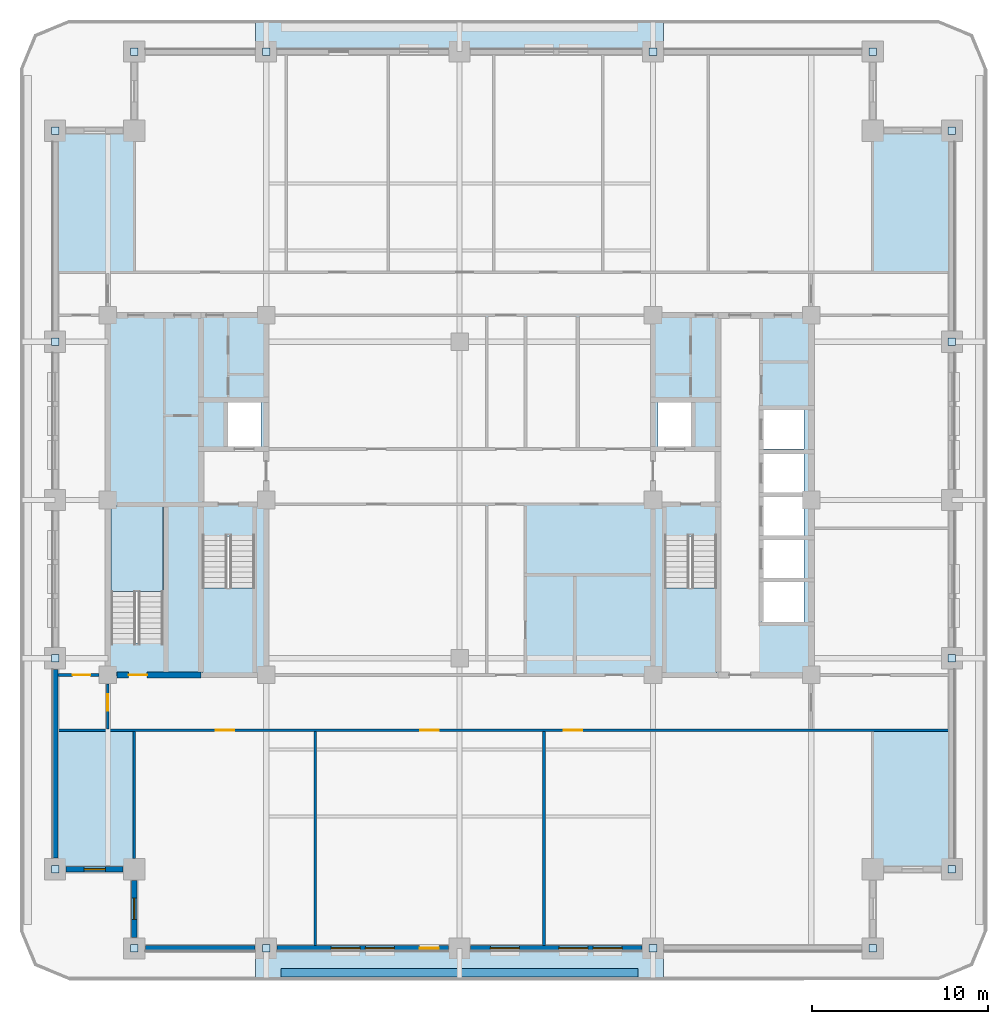
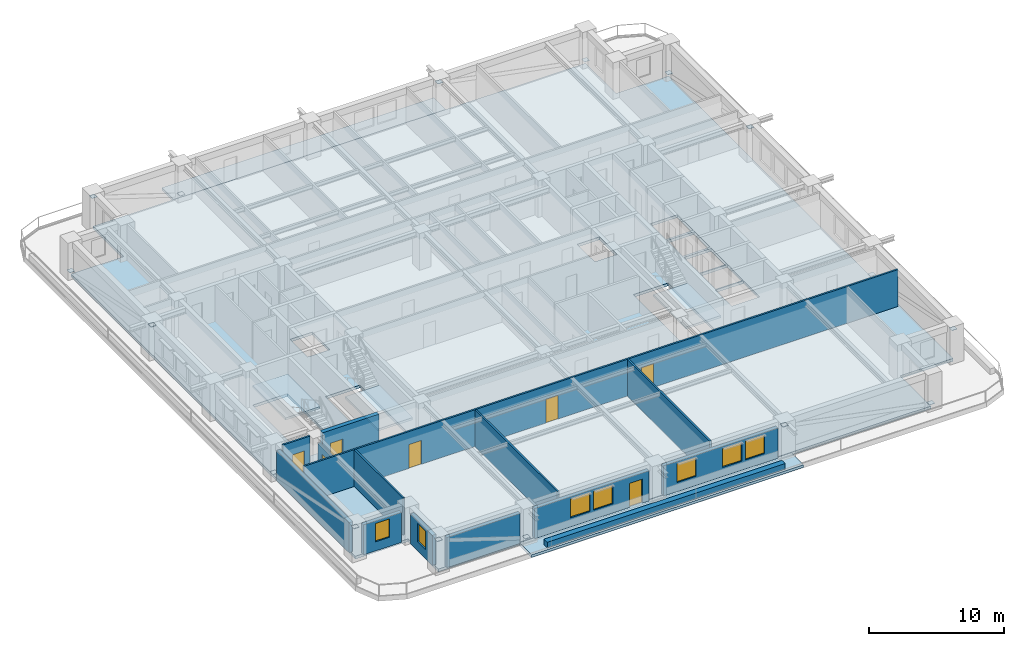
# One storey, part 2 of 14: 16 plates, 14 walls, 7 doors, 7 windows, 6 slabs, 14 openings, 3 elements without a shape of their own.
"""IFC4 building model written with IfcOpenShell, lengths in metres."""

from ifc_helpers import new_model, si_unit, direction, frame, frame_2d, origin, origin_2d, place, context, subcontext, project, spatial, polyline, rectangle, outline, extrude, material, layer, layer_set, type_object, element, fill, aggregate, save


model = new_model("IFC4")

# Units and contexts
model_context = context("Model", 3, precision=1e-05, world=origin(), true_north=direction((0.0, 1.0)))
body_context = subcontext(model_context, "Body", "Model", "MODEL_VIEW")
ifc_project = project(units=[si_unit("LENGTHUNIT", "METRE"), si_unit("AREAUNIT", "SQUARE_METRE"), si_unit("VOLUMEUNIT", "CUBIC_METRE"), si_unit("PLANEANGLEUNIT", "RADIAN"), si_unit("MASSUNIT", "GRAM", prefix="KILO")], contexts=[model_context])

# Site, building, storey
site_placement = place(None, origin())
site = spatial("IfcSite", under=ifc_project, at=site_placement, CompositionType="ELEMENT")
building_placement = place(site_placement, origin())
building = spatial("IfcBuilding", under=site, at=building_placement, Name="Zulmaris Gate Convention Tower", CompositionType="ELEMENT")
storey_placement = place(building_placement, frame((0.0, 0.0, 102.06982421875)))
storey = spatial("IfcBuildingStorey", under=building, at=storey_placement, Name="L25", CompositionType="ELEMENT", Elevation=102.06982421875)

# Plates
ifc_material_1 = material(Name="Steel S460", Category="steel")
ifc_layer_1 = layer(ifc_material_1, 0.02490234375, Name="Steel S460")
ifc_layer_set_1 = layer_set([ifc_layer_1], Name="Steel S460")
plate_type = type_object("IfcPlateType", Name="NP-CAP-440", PredefinedType="USERDEFINED", material=ifc_layer_set_1)
for number, where, z_axis, x_axis, name in (
    (1, (-23.0, -9.0, 0.28759765625), (0.0, 0.0, 1.0), (1.0, 0.0, 0.0), "L25 Steel Node Plate PBR-L25-SW-W-CAP"),
    (2, (-23.0, -21.0, 2.687744140625), (0.0, 0.0, 1.0), (1.0, 0.0, 0.0), "L25 Steel Node Plate PBR-L25-SW-W-CAPB"),
    (3, (-23.0, 21.0, 0.28759765625), (0.0, 0.0, 1.0), (1.0, 0.0, 0.0), "L25 Steel Node Plate PBR-L25-NW-W-CAP"),
    (4, (-23.0, 9.0, 2.687744140625), (0.0, 0.0, 1.0), (1.0, 0.0, 0.0), "L25 Steel Node Plate PBR-L25-NW-W-CAPB"),
    (5, (28.0, -9.0, 0.28759765625), (0.0, 0.0, 1.0), (1.0, 0.0, 0.0), "L25 Steel Node Plate PBR-L25-SE-E-CAP"),
    (6, (28.0, -21.0, 2.687744140625), (0.0, 0.0, 1.0), (1.0, 0.0, 0.0), "L25 Steel Node Plate PBR-L25-SE-E-CAPB"),
    (7, (28.0, 21.0, 0.28759765625), (0.0, 0.0, 1.0), (1.0, 0.0, 0.0), "L25 Steel Node Plate PBR-L25-NE-E-CAP"),
    (8, (28.0, 9.0, 2.687744140625), (0.0, 0.0, 1.0), (1.0, 0.0, 0.0), "L25 Steel Node Plate PBR-L25-NE-E-CAPB"),
    (9, (-11.0, -25.5, 0.28759765625), (0.0, 0.0, 1.0), (1.0, 0.0, 0.0), "L25 Steel Node Plate PBR-L25-SW-S-CAP"),
    (10, (-18.5, -25.5, 2.687744140625), (0.0, 0.0, 1.0), (1.0, 0.0, 0.0), "L25 Steel Node Plate PBR-L25-SW-S-CAPB"),
    (11, (23.5, -25.5, 0.28759765625), (0.0, 0.0, 1.0), (1.0, 0.0, 0.0), "L25 Steel Node Plate PBR-L25-SE-S-CAP"),
    (12, (11.0, -25.5, 2.687744140625), (0.0, 0.0, 1.0), (1.0, 0.0, 0.0), "L25 Steel Node Plate PBR-L25-SE-S-CAPB"),
    (13, (-11.0, 25.5, 0.28759765625), (0.0, 0.0, 1.0), (1.0, 0.0, 0.0), "L25 Steel Node Plate PBR-L25-NW-N-CAP"),
    (14, (-18.5, 25.5, 2.687744140625), (0.0, 0.0, 1.0), (1.0, 0.0, 0.0), "L25 Steel Node Plate PBR-L25-NW-N-CAPB"),
    (15, (23.5, 25.5, 0.28759765625), (0.0, 0.0, 1.0), (1.0, 0.0, 0.0), "L25 Steel Node Plate PBR-L25-NE-N-CAP"),
    (16, (11.0, 25.5, 2.687744140625), (0.0, 0.0, 1.0), (1.0, 0.0, 0.0), "L25 Steel Node Plate PBR-L25-NE-N-CAPB"),
):
    element("IfcPlate", number, at=place(storey_placement, frame(where, z_axis=z_axis, x_axis=x_axis)), inside=storey, type_object=plate_type, Name=name, ObjectType="FLANGE PLATE", PredefinedType="USERDEFINED", context=body_context, shape_type="SweptSolid", body=[
        extrude(rectangle(XDim=0.43994140625, YDim=0.43994140625, at=origin_2d()), origin(), (0.0, 0.0, 1.0), 0.02490234375),
    ])

# Slabs
ifc_material_2 = material(Name="Precast concrete C50/60", Category="concrete")
ifc_layer_2 = layer(ifc_material_2, 0.239990234375, Name="Precast concrete C50/60")
ifc_layer_set_2 = layer_set([ifc_layer_2], Name="Precast concrete C50/60")
slab_type_1 = type_object("IfcSlabType", Name="SL-BAL-240", PredefinedType="FLOOR", material=ifc_layer_set_2)
slab_1_placement = place(storey_placement, frame((0.0, 0.0, -0.27490234375)))
element("IfcSlab", 17, at=slab_1_placement, inside=storey, type_object=slab_type_1, Name="L25 South Tree-Balcony Planter Slab", PredefinedType="FLOOR", context=body_context, shape_type="SweptSolid", body=[
    extrude(outline(polyline([(-11.597900390625, -27.300048828125), (-11.597900390625, -25.5), (11.597900390625, -25.5), (11.597900390625, -27.300048828125), (-11.597900390625, -27.300048828125)])), origin(), (0.0, 0.0, 1.0), 0.239990234375),
])
slab_2_placement = place(storey_placement, frame((0.0, 0.0, -0.27490234375)))
element("IfcSlab", 18, at=slab_2_placement, inside=storey, type_object=slab_type_1, Name="L25 North Tree-Balcony Planter Slab", PredefinedType="FLOOR", context=body_context, shape_type="SweptSolid", body=[
    extrude(outline(polyline([(11.597900390625, 27.300048828125), (11.597900390625, 25.5), (-11.597900390625, 25.5), (-11.597900390625, 27.300048828125), (11.597900390625, 27.300048828125)])), origin(), (0.0, 0.0, 1.0), 0.239990234375),
])
ifc_material_3 = material(Name="Concrete C50/60", Category="concrete")
ifc_layer_3 = layer(ifc_material_3, 0.25, Name="Concrete C50/60")
ifc_layer_set_3 = layer_set([ifc_layer_3], Name="Concrete C50/60")
slab_type_2 = type_object("IfcSlabType", Name="SL-FLR-250", PredefinedType="FLOOR", material=ifc_layer_set_3)
slab_3_placement = place(storey_placement, frame((0.0, 0.0, -0.25)))
element("IfcSlab", 19, at=slab_3_placement, inside=storey, type_object=slab_type_2, Name="L25 Shifted Notched-Square Structural Floor Slab", PredefinedType="FLOOR", context=body_context, shape_type="SweptSolid", body=[
    extrude(outline(polyline([(-18.5, -25.5), (23.5, -25.5), (23.5, -21.0), (28.0, -21.0), (28.0, 21.0), (23.5, 21.0), (23.5, 25.5), (-18.5, 25.5), (-18.5, 21.0), (-23.0, 21.0), (-23.0, -21.0), (-18.5, -21.0), (-18.5, -25.5)]), holes=[polyline([(-14.6201171875, -2.080078125), (-14.6201171875, -9.85009765625), (-11.659912109375, -9.85009765625), (-11.659912109375, -2.080078125), (-14.6201171875, -2.080078125)]), polyline([(11.659912109375, -2.080078125), (11.659912109375, -9.85009765625), (14.6201171875, -9.85009765625), (14.6201171875, -2.080078125), (11.659912109375, -2.080078125)]), polyline([(-16.860107421875, -8.1201171875), (-16.860107421875, -0.35009765625), (-19.820068359375, -0.35009765625), (-19.820068359375, -8.1201171875), (-16.860107421875, -8.1201171875)]), polyline([(-13.199951171875, 3.0), (-11.300048828125, 3.0), (-11.300048828125, 5.60009765625), (-13.199951171875, 5.60009765625), (-13.199951171875, 3.0)]), polyline([(11.300048828125, 3.0), (13.199951171875, 3.0), (13.199951171875, 5.60009765625), (11.300048828125, 5.60009765625), (11.300048828125, 3.0)]), polyline([(17.199951171875, -7.0), (19.60009765625, -7.0), (19.60009765625, -4.60009765625), (17.199951171875, -4.60009765625), (17.199951171875, -7.0)]), polyline([(17.300048828125, -4.5), (19.60009765625, -4.5), (19.60009765625, -2.199951171875), (17.300048828125, -2.199951171875), (17.300048828125, -4.5)]), polyline([(17.300048828125, -2.10009765625), (19.60009765625, -2.10009765625), (19.60009765625, 0.199951171875), (17.300048828125, 0.199951171875), (17.300048828125, -2.10009765625)]), polyline([(17.300048828125, 0.39990234375), (19.60009765625, 0.39990234375), (19.60009765625, 2.699951171875), (17.300048828125, 2.699951171875), (17.300048828125, 0.39990234375)]), polyline([(17.300048828125, 2.89990234375), (19.60009765625, 2.89990234375), (19.60009765625, 5.199951171875), (17.300048828125, 5.199951171875), (17.300048828125, 2.89990234375)])]), origin(), (0.0, 0.0, 1.0), 0.25),
])

# Stair, slab
ifc_material_4 = material(Name="Concrete C45/55", Category="concrete")
stair_type = type_object("IfcStairType", Name="ST-CORE-DOGLEG", PredefinedType="HALF_TURN_STAIR", material=ifc_material_4)
stair_1_placement = place(storey_placement, origin())
stair_1 = element("IfcStair", 20, at=stair_1_placement, inside=storey, type_object=stair_type, Name="L25 Core Exit Stair ST-1", PredefinedType="HALF_TURN_STAIR")
ifc_layer_4 = layer(ifc_material_4, 0.199951171875, Name="Concrete C45/55")
ifc_layer_set_4 = layer_set([ifc_layer_4], Name="Concrete C45/55")
slab_type_3 = type_object("IfcSlabType", Name="SL-LND-200", PredefinedType="LANDING", material=ifc_layer_set_4)
slab_4_placement = place(storey_placement, frame((0.0, 0.0, 1.5849609375)))
slab_4 = element("IfcSlab", 21, at=slab_4_placement, type_object=slab_type_3, Name="ST-1 landing 1", PredefinedType="LANDING", context=body_context, shape_type="SweptSolid", body=[
    extrude(outline(polyline([(-14.6201171875, -5.0), (-14.6201171875, -9.85009765625), (-11.659912109375, -9.85009765625), (-11.659912109375, -5.0), (-14.6201171875, -5.0)])), origin(), (0.0, 0.0, 1.0), 0.199951171875),
])
aggregate(stair_1, [slab_4])

stair_2_placement = place(storey_placement, origin())
stair_2 = element("IfcStair", 22, at=stair_2_placement, inside=storey, type_object=stair_type, Name="L25 Core Exit Stair ST-2", PredefinedType="HALF_TURN_STAIR")
slab_5_placement = place(storey_placement, frame((0.0, 0.0, 1.5849609375)))
slab_5 = element("IfcSlab", 23, at=slab_5_placement, type_object=slab_type_3, Name="ST-2 landing 1", PredefinedType="LANDING", context=body_context, shape_type="SweptSolid", body=[
    extrude(outline(polyline([(11.659912109375, -5.0), (11.659912109375, -9.85009765625), (14.6201171875, -9.85009765625), (14.6201171875, -5.0), (11.659912109375, -5.0)])), origin(), (0.0, 0.0, 1.0), 0.199951171875),
])
aggregate(stair_2, [slab_5])

stair_3_placement = place(storey_placement, origin())
stair_3 = element("IfcStair", 24, at=stair_3_placement, inside=storey, type_object=stair_type, Name="L25 Core Exit Stair ST-3", PredefinedType="HALF_TURN_STAIR")
slab_6_placement = place(storey_placement, frame((0.0, 0.0, 1.5849609375)))
slab_6 = element("IfcSlab", 25, at=slab_6_placement, type_object=slab_type_3, Name="ST-3 landing 1", PredefinedType="LANDING", context=body_context, shape_type="SweptSolid", body=[
    extrude(outline(polyline([(-16.860107421875, -5.199951171875), (-16.860107421875, -0.35009765625), (-19.820068359375, -0.35009765625), (-19.820068359375, -5.199951171875), (-16.860107421875, -5.199951171875)])), origin(), (0.0, 0.0, 1.0), 0.199951171875),
])
aggregate(stair_3, [slab_6])

# Wall, opening, door
ifc_material_5 = material(Name="Concrete C55/67", Category="concrete")
ifc_layer_5 = layer(ifc_material_5, 0.35009765625, Name="Concrete C55/67")
ifc_layer_set_5 = layer_set([ifc_layer_5], Name="Concrete C55/67")
wall_type_1 = type_object("IfcWallType", Name="CORE-350", PredefinedType="SHEAR", material=ifc_layer_set_5)
wall_1_placement = place(storey_placement, frame((-19.49609375, -9.949951171875, 0.0), z_axis=(0.0, 0.0, 1.0), x_axis=(1.0, 0.0, 0.0)))
wall_1 = element("IfcWall", 26, at=wall_1_placement, inside=storey, type_object=wall_type_1, Name="WL-L25-001", PredefinedType="SHEAR", context=body_context, shape_type="SweptSolid", body=[
    extrude(rectangle(XDim=4.796142578125, YDim=0.35009765625, at=frame_2d((2.39794921875, 0.0))), origin(), (0.0, 0.0, 1.0), 3.320068359375),
])
opening_1_placement = place(wall_1_placement, frame((0.6708984375, 0.0, 0.0)))
opening_1 = element("IfcOpeningElement", 27, at=opening_1_placement, cuts=wall_1, Name="Opening D-09", PredefinedType="OPENING", context=body_context, shape_type="SweptSolid", body=[
    extrude(rectangle(XDim=1.050048828125, YDim=2.14990234375, at=frame_2d((0.52490234375, 1.074951171875))), frame((0.0, 0.18505859375, 0.0), z_axis=(0.0, -1.0, 0.0), x_axis=(1.0, 0.0, 0.0)), (0.0, 0.0, 1.0), 0.3701171875),
])
ifc_material_6 = material(Name="Fire-Rated Steel", Category="steel")
door_type_1 = type_object("IfcDoorType", Name="DR-1050-FD", OperationType="NOTDEFINED", PredefinedType="DOOR", material=ifc_material_6)
door_1_placement = place(opening_1_placement, origin())
door_1 = element("IfcDoor", 28, at=door_1_placement, inside=storey, type_object=door_type_1, Name="L25 Exit Stair ST-3 Door 13", OperationType="SINGLE_SWING_RIGHT", OverallHeight=2.14990234375, OverallWidth=1.050048828125, PredefinedType="DOOR", context=body_context, shape_type="SweptSolid", body=[
    extrude(rectangle(XDim=1.050048828125, YDim=2.14990234375, at=frame_2d((0.52490234375, 1.074951171875))), frame((0.0, 0.02490234375, 0.0), z_axis=(0.0, -1.0, 0.0), x_axis=(1.0, 0.0, 0.0)), (0.0, 0.0, 1.0), 0.050048828125),
])
fill(opening_1, door_1)

# Wall, openings, doors
ifc_material_7 = material(Name="Gypsum Metal Stud Partition")
ifc_layer_6 = layer(ifc_material_7, 0.14990234375, Name="Gypsum Metal Stud Partition")
ifc_layer_set_6 = layer_set([ifc_layer_6], Name="Gypsum Metal Stud Partition")
wall_type_2 = type_object("IfcWallType", Name="PART-150", PredefinedType="PARTITIONING", material=ifc_layer_set_6)
wall_2_placement = place(storey_placement, frame((-22.8349609375, -13.10009765625, 0.0), z_axis=(0.0, 0.0, 1.0), x_axis=(1.0, 0.0, 0.0)))
wall_2 = element("IfcWall", 29, at=wall_2_placement, inside=storey, type_object=wall_type_2, Name="WL-L25-021", PredefinedType="PARTITIONING", context=body_context, shape_type="SweptSolid", body=[
    extrude(rectangle(XDim=50.669921875, YDim=0.14990234375, at=frame_2d((25.3349609375, 0.0))), origin(), (0.0, 0.0, 1.0), 3.320068359375),
])
opening_2_placement = place(wall_2_placement, frame((8.9599609375, 0.0, 0.0)))
opening_2 = element("IfcOpeningElement", 30, at=opening_2_placement, cuts=wall_2, Name="Opening D-09", PredefinedType="OPENING", context=body_context, shape_type="SweptSolid", body=[
    extrude(rectangle(XDim=1.050048828125, YDim=2.14990234375, at=frame_2d((0.52490234375, 1.074951171875))), frame((0.0, 0.0849609375, 0.0), z_axis=(0.0, -1.0, 0.0), x_axis=(1.0, 0.0, 0.0)), (0.0, 0.0, 1.0), 0.169921875),
])
opening_3_placement = place(wall_2_placement, frame((20.610107421875, 0.0, 0.0)))
opening_3 = element("IfcOpeningElement", 31, at=opening_3_placement, cuts=wall_2, Name="Opening D-09", PredefinedType="OPENING", context=body_context, shape_type="SweptSolid", body=[
    extrude(rectangle(XDim=1.050048828125, YDim=2.14990234375, at=frame_2d((0.52490234375, 1.074951171875))), frame((0.0, 0.0849609375, 0.0), z_axis=(0.0, -1.0, 0.0), x_axis=(1.0, 0.0, 0.0)), (0.0, 0.0, 1.0), 0.169921875),
])
opening_4_placement = place(wall_2_placement, frame((28.760009765625, 0.0, 0.0)))
opening_4 = element("IfcOpeningElement", 32, at=opening_4_placement, cuts=wall_2, Name="Opening D-09", PredefinedType="OPENING", context=body_context, shape_type="SweptSolid", body=[
    extrude(rectangle(XDim=1.050048828125, YDim=2.14990234375, at=frame_2d((0.52490234375, 1.074951171875))), frame((0.0, 0.0849609375, 0.0), z_axis=(0.0, -1.0, 0.0), x_axis=(1.0, 0.0, 0.0)), (0.0, 0.0, 1.0), 0.169921875),
])
door_2_placement = place(opening_2_placement, origin())
door_2 = element("IfcDoor", 33, at=door_2_placement, inside=storey, type_object=door_type_1, Name="L25 Research Reading Room Door 35", OperationType="SINGLE_SWING_RIGHT", OverallHeight=2.14990234375, OverallWidth=1.050048828125, PredefinedType="DOOR", context=body_context, shape_type="SweptSolid", body=[
    extrude(rectangle(XDim=1.050048828125, YDim=2.14990234375, at=frame_2d((0.52490234375, 1.074951171875))), frame((0.0, 0.02490234375, 0.0), z_axis=(0.0, -1.0, 0.0), x_axis=(1.0, 0.0, 0.0)), (0.0, 0.0, 1.0), 0.050048828125),
])
fill(opening_2, door_2)
door_3_placement = place(opening_3_placement, origin())
door_3 = element("IfcDoor", 34, at=door_3_placement, inside=storey, type_object=door_type_1, Name="L25 Quiet Focus Study Door 36", OperationType="SINGLE_SWING_LEFT", OverallHeight=2.14990234375, OverallWidth=1.050048828125, PredefinedType="DOOR", context=body_context, shape_type="SweptSolid", body=[
    extrude(rectangle(XDim=1.050048828125, YDim=2.14990234375, at=frame_2d((0.52490234375, 1.074951171875))), frame((0.0, 0.02490234375, 0.0), z_axis=(0.0, -1.0, 0.0), x_axis=(1.0, 0.0, 0.0)), (0.0, 0.0, 1.0), 0.050048828125),
])
fill(opening_3, door_3)
door_4_placement = place(opening_4_placement, origin())
door_4 = element("IfcDoor", 35, at=door_4_placement, inside=storey, type_object=door_type_1, Name="L25 Legal Library Room Door 37", OperationType="SINGLE_SWING_RIGHT", OverallHeight=2.14990234375, OverallWidth=1.050048828125, PredefinedType="DOOR", context=body_context, shape_type="SweptSolid", body=[
    extrude(rectangle(XDim=1.050048828125, YDim=2.14990234375, at=frame_2d((0.52490234375, 1.074951171875))), frame((0.0, 0.02490234375, 0.0), z_axis=(0.0, -1.0, 0.0), x_axis=(1.0, 0.0, 0.0)), (0.0, 0.0, 1.0), 0.050048828125),
])
fill(opening_4, door_4)

# Wall, opening, door
wall_3_placement = place(storey_placement, frame((-22.8349609375, -9.949951171875, 0.0), z_axis=(0.0, 0.0, 1.0), x_axis=(1.0, 0.0, 0.0)))
wall_3 = element("IfcWall", 36, at=wall_3_placement, inside=storey, type_object=wall_type_2, Name="WL-L25-022", PredefinedType="PARTITIONING", context=body_context, shape_type="SweptSolid", body=[
    extrude(rectangle(XDim=2.328857421875, YDim=0.14990234375, at=frame_2d((1.16455078125, 0.0))), origin(), (0.0, 0.0, 1.0), 3.320068359375),
])
opening_5_placement = place(wall_3_placement, frame((0.8349609375, 0.0, 0.0)))
opening_5 = element("IfcOpeningElement", 37, at=opening_5_placement, cuts=wall_3, Name="Opening D-10", PredefinedType="OPENING", context=body_context, shape_type="SweptSolid", body=[
    extrude(rectangle(XDim=1.0, YDim=2.14990234375, at=frame_2d((0.5, 1.074951171875))), frame((0.0, 0.0849609375, 0.0), z_axis=(0.0, -1.0, 0.0), x_axis=(1.0, 0.0, 0.0)), (0.0, 0.0, 1.0), 0.169921875),
])
ifc_material_8 = material(Name="Fire-Rated Timber", Category="wood")
door_type_2 = type_object("IfcDoorType", Name="DR-1000-FD", OperationType="NOTDEFINED", PredefinedType="DOOR", material=ifc_material_8)
door_5_placement = place(opening_5_placement, origin())
door_5 = element("IfcDoor", 38, at=door_5_placement, inside=storey, type_object=door_type_2, Name="L25 West Workplace South Door 48", OperationType="SINGLE_SWING_LEFT", OverallHeight=2.14990234375, OverallWidth=1.0, PredefinedType="DOOR", context=body_context, shape_type="SweptSolid", body=[
    extrude(rectangle(XDim=1.0, YDim=2.14990234375, at=frame_2d((0.5, 1.074951171875))), frame((0.0, 0.02490234375, 0.0), z_axis=(0.0, -1.0, 0.0), x_axis=(1.0, 0.0, 0.0)), (0.0, 0.0, 1.0), 0.050048828125),
])
fill(opening_5, door_5)

wall_4_placement = place(storey_placement, frame((-20.0, -13.02197265625, 0.0), z_axis=(0.0, 0.0, 1.0), x_axis=(0.0, 1.0, 0.0)))
wall_4 = element("IfcWall", 39, at=wall_4_placement, inside=storey, type_object=wall_type_2, Name="WL-L25-072", PredefinedType="PARTITIONING", context=body_context, shape_type="SweptSolid", body=[
    extrude(rectangle(XDim=2.56591796875, YDim=0.14990234375, at=frame_2d((1.282958984375, 0.0))), origin(), (0.0, 0.0, 1.0), 2.81005859375),
])
opening_6_placement = place(wall_4_placement, frame((1.027099609375, 0.0, 0.0)))
opening_6 = element("IfcOpeningElement", 40, at=opening_6_placement, cuts=wall_4, Name="Opening D-11", PredefinedType="OPENING", context=body_context, shape_type="SweptSolid", body=[
    extrude(rectangle(XDim=0.949951171875, YDim=2.14990234375, at=frame_2d((0.47509765625, 1.074951171875))), frame((0.0, 0.0849609375, 0.0), z_axis=(0.0, -1.0, 0.0), x_axis=(1.0, 0.0, 0.0)), (0.0, 0.0, 1.0), 0.169921875),
])
door_type_3 = type_object("IfcDoorType", Name="DR-950-FD", OperationType="NOTDEFINED", PredefinedType="DOOR", material=ifc_material_8)
door_6_placement = place(opening_6_placement, origin())
door_6 = element("IfcDoor", 41, at=door_6_placement, inside=storey, type_object=door_type_3, Name="L25 SW Spur Door 46", OperationType="SINGLE_SWING_LEFT", OverallHeight=2.14990234375, OverallWidth=0.949951171875, PredefinedType="DOOR", context=body_context, shape_type="SweptSolid", body=[
    extrude(rectangle(XDim=0.949951171875, YDim=2.14990234375, at=frame_2d((0.47509765625, 1.074951171875))), frame((0.0, 0.02490234375, 0.0), z_axis=(0.0, -1.0, 0.0), x_axis=(1.0, 0.0, 0.0)), (0.0, 0.0, 1.0), 0.050048828125),
])
fill(opening_6, door_6)

# Walls
wall_5_placement = place(storey_placement, frame((-18.5, -20.39404296875, 0.0), z_axis=(0.0, 0.0, 1.0), x_axis=(0.0, 1.0, 0.0)))
element("IfcWall", 42, at=wall_5_placement, inside=storey, type_object=wall_type_2, Name="WL-L25-074", PredefinedType="PARTITIONING", context=body_context, shape_type="SweptSolid", body=[
    extrude(rectangle(XDim=7.216064453125, YDim=0.14990234375, at=frame_2d((3.60791015625, 0.0))), origin(), (0.0, 0.0, 1.0), 3.320068359375),
])
for number, where, z_axis, x_axis, name in (
    (43, (-8.199951171875, -25.3349609375, 0.0), (0.0, 0.0, 1.0), (0.0, 1.0, 0.0), "WL-L25-081"),
    (44, (4.800048828125, -25.3349609375, 0.0), (0.0, 0.0, 1.0), (0.0, 1.0, 0.0), "WL-L25-089"),
):
    element("IfcWall", number, at=place(storey_placement, frame(where, z_axis=z_axis, x_axis=x_axis)), inside=storey, type_object=wall_type_2, Name=name, PredefinedType="PARTITIONING", context=body_context, shape_type="SweptSolid", body=[
        extrude(rectangle(XDim=12.156982421875, YDim=0.14990234375, at=frame_2d((6.07861328125, 0.0))), origin(), (0.0, 0.0, 1.0), 3.320068359375),
    ])
ifc_material_9 = material(Name="Botanical Green Glazed Precast Concrete C40/50", Category="concrete")
ifc_layer_7 = layer(ifc_material_9, 0.419921875, Name="Botanical Green Glazed Precast Concrete C40/50")
ifc_layer_set_7 = layer_set([ifc_layer_7], Name="Botanical Green Glazed Precast Concrete C40/50")
wall_type_3 = type_object("IfcWallType", Name="PLANTER-CURB-200", PredefinedType="PARAPET", material=ifc_layer_set_7)
wall_6_placement = place(storey_placement, frame((-10.14990234375, -26.8798828125, -0.0400390625), z_axis=(0.0, 0.0, 1.0), x_axis=(1.0, 0.0, 0.0)))
element("IfcWall", 45, at=wall_6_placement, inside=storey, type_object=wall_type_3, Name="L25 Full-Length Balcony Tree Planter Trough", PredefinedType="PARAPET", context=body_context, shape_type="SweptSolid", body=[
    extrude(rectangle(XDim=20.2998046875, YDim=0.47998046875, at=frame_2d((10.14990234375, 0.0))), origin(), (0.0, 0.0, 1.0), 0.52001953125),
])

# Wall, opening, window
ifc_material_10 = material(Name="Precast concrete C40/50", Category="concrete")
ifc_layer_8 = layer(ifc_material_10, 0.300048828125, Name="Precast concrete C40/50")
ifc_layer_set_8 = layer_set([ifc_layer_8], Name="Precast concrete C40/50")
wall_type_4 = type_object("IfcWallType", Name="PRECAST-PIER-300", PredefinedType="STANDARD", material=ifc_layer_set_8)
wall_7_placement = place(storey_placement, frame((-22.3701171875, -21.0, 0.0), z_axis=(0.0, 0.0, 1.0), x_axis=(1.0, 0.0, 0.0)))
wall_7 = element("IfcWall", 46, at=wall_7_placement, inside=storey, type_object=wall_type_4, Name="EW-L25-NOTCH-SW1_0", PredefinedType="STANDARD", context=body_context, shape_type="SweptSolid", body=[
    extrude(rectangle(XDim=3.240234375, YDim=0.300048828125, at=frame_2d((1.6201171875, 0.0))), origin(), (0.0, 0.0, 1.0), 2.712158203125),
])
opening_7_placement = place(wall_7_placement, frame((1.02001953125, 0.0, 0.820068359375)))
opening_7 = element("IfcOpeningElement", 47, at=opening_7_placement, cuts=wall_7, Name="Opening W-04", PredefinedType="OPENING", context=body_context, shape_type="SweptSolid", body=[
    extrude(rectangle(XDim=1.199951171875, YDim=1.64990234375, at=frame_2d((0.60009765625, 0.824951171875))), frame((0.0, 0.16015625, 0.0), z_axis=(0.0, -1.0, 0.0), x_axis=(1.0, 0.0, 0.0)), (0.0, 0.0, 1.0), 0.320068359375),
])
ifc_material_11 = material(Name="Low-E Laminated Double Glazing in Aluminium Frame", Category="aluminium")
window_type_1 = type_object("IfcWindowType", Name="WIN-1200x2100", PartitioningType="SINGLE_PANEL", PredefinedType="WINDOW", material=ifc_material_11)
window_1_placement = place(opening_7_placement, origin())
window_1 = element("IfcWindow", 48, at=window_1_placement, inside=storey, type_object=window_type_1, Name="WN-EW-L25-NOTCH-SW1_0", OverallHeight=1.64990234375, OverallWidth=1.199951171875, PartitioningType="SINGLE_PANEL", PredefinedType="WINDOW", context=body_context, shape_type="SweptSolid", body=[
    extrude(rectangle(XDim=1.199951171875, YDim=1.64990234375, at=frame_2d((0.60009765625, 0.824951171875))), frame((0.0, 0.030029296875, 0.0), z_axis=(0.0, -1.0, 0.0), x_axis=(1.0, 0.0, 0.0)), (0.0, 0.0, 1.0), 0.06005859375),
])
fill(opening_7, window_1)

wall_8_placement = place(storey_placement, frame((-18.5, -21.6298828125, 0.0), z_axis=(0.0, 0.0, 1.0), x_axis=(0.0, -1.0, 0.0)))
wall_8 = element("IfcWall", 49, at=wall_8_placement, inside=storey, type_object=wall_type_4, Name="EW-L25-NOTCH-SW2_0", PredefinedType="STANDARD", context=body_context, shape_type="SweptSolid", body=[
    extrude(rectangle(XDim=3.240234375, YDim=0.300048828125, at=frame_2d((1.6201171875, 0.0))), origin(), (0.0, 0.0, 1.0), 2.712158203125),
])
opening_8_placement = place(wall_8_placement, frame((1.02001953125, 0.0, 0.820068359375)))
opening_8 = element("IfcOpeningElement", 50, at=opening_8_placement, cuts=wall_8, Name="Opening W-04", PredefinedType="OPENING", context=body_context, shape_type="SweptSolid", body=[
    extrude(rectangle(XDim=1.199951171875, YDim=1.64990234375, at=frame_2d((0.60009765625, 0.824951171875))), frame((0.0, 0.16015625, 0.0), z_axis=(0.0, -1.0, 0.0), x_axis=(1.0, 0.0, 0.0)), (0.0, 0.0, 1.0), 0.320068359375),
])
window_2_placement = place(opening_8_placement, origin())
window_2 = element("IfcWindow", 51, at=window_2_placement, inside=storey, type_object=window_type_1, Name="WN-EW-L25-NOTCH-SW2_0", OverallHeight=1.64990234375, OverallWidth=1.199951171875, PartitioningType="SINGLE_PANEL", PredefinedType="WINDOW", context=body_context, shape_type="SweptSolid", body=[
    extrude(rectangle(XDim=1.199951171875, YDim=1.64990234375, at=frame_2d((0.60009765625, 0.824951171875))), frame((0.0, 0.030029296875, 0.0), z_axis=(0.0, -1.0, 0.0), x_axis=(1.0, 0.0, 0.0)), (0.0, 0.0, 1.0), 0.06005859375),
])
fill(opening_8, window_2)

# Wall
wall_9_placement = place(storey_placement, frame((-17.8701171875, -25.5, 0.0), z_axis=(0.0, 0.0, 1.0), x_axis=(1.0, 0.0, 0.0)))
element("IfcWall", 52, at=wall_9_placement, inside=storey, type_object=wall_type_4, Name="EW-L25-S-0_0", PredefinedType="STANDARD", context=body_context, shape_type="SweptSolid", body=[
    extrude(rectangle(XDim=6.240234375, YDim=0.300048828125, at=frame_2d((3.1201171875, 0.0))), origin(), (0.0, 0.0, 1.0), 2.712158203125),
])

# Wall, openings, door, windows
wall_10_placement = place(storey_placement, frame((-10.3701171875, -25.5, 0.0), z_axis=(0.0, 0.0, 1.0), x_axis=(1.0, 0.0, 0.0)))
wall_10 = element("IfcWall", 53, at=wall_10_placement, inside=storey, type_object=wall_type_4, Name="EW-L25-S-1_0", PredefinedType="STANDARD", context=body_context, shape_type="SweptSolid", body=[
    extrude(rectangle(XDim=9.740234375, YDim=0.300048828125, at=frame_2d((4.8701171875, 0.0))), origin(), (0.0, 0.0, 1.0), 2.712158203125),
])
opening_9_placement = place(wall_10_placement, frame((8.096923828125, 0.0, 0.0)))
opening_9 = element("IfcOpeningElement", 54, at=opening_9_placement, cuts=wall_10, Name="Opening D-04", PredefinedType="OPENING", context=body_context, shape_type="SweptSolid", body=[
    extrude(rectangle(XDim=1.10009765625, YDim=2.14990234375, at=frame_2d((0.550048828125, 1.074951171875))), frame((0.0, 0.16015625, 0.0), z_axis=(0.0, -1.0, 0.0), x_axis=(1.0, 0.0, 0.0)), (0.0, 0.0, 1.0), 0.320068359375),
])
opening_10_placement = place(wall_10_placement, frame((3.071044921875, 0.0, 0.800048828125)))
opening_10 = element("IfcOpeningElement", 55, at=opening_10_placement, cuts=wall_10, Name="Opening W-08", PredefinedType="OPENING", context=body_context, shape_type="SweptSolid", body=[
    extrude(rectangle(XDim=1.64990234375, YDim=1.699951171875, at=frame_2d((0.824951171875, 0.85009765625))), frame((0.0, 0.16015625, 0.0), z_axis=(0.0, -1.0, 0.0), x_axis=(1.0, 0.0, 0.0)), (0.0, 0.0, 1.0), 0.320068359375),
])
opening_11_placement = place(wall_10_placement, frame((5.01904296875, 0.0, 0.800048828125)))
opening_11 = element("IfcOpeningElement", 56, at=opening_11_placement, cuts=wall_10, Name="Opening W-08", PredefinedType="OPENING", context=body_context, shape_type="SweptSolid", body=[
    extrude(rectangle(XDim=1.64990234375, YDim=1.699951171875, at=frame_2d((0.824951171875, 0.85009765625))), frame((0.0, 0.16015625, 0.0), z_axis=(0.0, -1.0, 0.0), x_axis=(1.0, 0.0, 0.0)), (0.0, 0.0, 1.0), 0.320068359375),
])
ifc_material_12 = material(Name="Anodised Aluminium and Laminated Glass", Category="aluminium")
door_type_4 = type_object("IfcDoorType", Name="ED-1100", OperationType="SINGLE_SWING_RIGHT", PredefinedType="DOOR", material=ifc_material_12)
door_7_placement = place(opening_9_placement, origin())
door_7 = element("IfcDoor", 57, at=door_7_placement, inside=storey, type_object=door_type_4, Name="L25 S Planted Terrace Door", OperationType="SINGLE_SWING_RIGHT", OverallHeight=2.14990234375, OverallWidth=1.10009765625, PredefinedType="DOOR", context=body_context, shape_type="SweptSolid", body=[
    extrude(rectangle(XDim=1.10009765625, YDim=2.14990234375, at=frame_2d((0.550048828125, 1.074951171875))), frame((0.0, 0.02490234375, 0.0), z_axis=(0.0, -1.0, 0.0), x_axis=(1.0, 0.0, 0.0)), (0.0, 0.0, 1.0), 0.050048828125),
])
fill(opening_9, door_7)
window_type_2 = type_object("IfcWindowType", Name="WIN-1650x2150", PartitioningType="SINGLE_PANEL", PredefinedType="WINDOW", material=ifc_material_11)
window_3_placement = place(opening_10_placement, origin())
window_3 = element("IfcWindow", 58, at=window_3_placement, inside=storey, type_object=window_type_2, Name="WN-EW-L25-S-1_0-2", OverallHeight=1.699951171875, OverallWidth=1.64990234375, PartitioningType="SINGLE_PANEL", PredefinedType="WINDOW", context=body_context, shape_type="SweptSolid", body=[
    extrude(rectangle(XDim=1.64990234375, YDim=1.699951171875, at=frame_2d((0.824951171875, 0.85009765625))), frame((0.0, 0.030029296875, 0.0), z_axis=(0.0, -1.0, 0.0), x_axis=(1.0, 0.0, 0.0)), (0.0, 0.0, 1.0), 0.06005859375),
])
fill(opening_10, window_3)
window_4_placement = place(opening_11_placement, origin())
window_4 = element("IfcWindow", 59, at=window_4_placement, inside=storey, type_object=window_type_2, Name="WN-EW-L25-S-1_0-3", OverallHeight=1.699951171875, OverallWidth=1.64990234375, PartitioningType="SINGLE_PANEL", PredefinedType="WINDOW", context=body_context, shape_type="SweptSolid", body=[
    extrude(rectangle(XDim=1.64990234375, YDim=1.699951171875, at=frame_2d((0.824951171875, 0.85009765625))), frame((0.0, 0.030029296875, 0.0), z_axis=(0.0, -1.0, 0.0), x_axis=(1.0, 0.0, 0.0)), (0.0, 0.0, 1.0), 0.06005859375),
])
fill(opening_11, window_4)

# Wall, openings, windows
wall_11_placement = place(storey_placement, frame((0.6298828125, -25.5, 0.0), z_axis=(0.0, 0.0, 1.0), x_axis=(1.0, 0.0, 0.0)))
wall_11 = element("IfcWall", 60, at=wall_11_placement, inside=storey, type_object=wall_type_4, Name="EW-L25-S-2_0", PredefinedType="STANDARD", context=body_context, shape_type="SweptSolid", body=[
    extrude(rectangle(XDim=9.740234375, YDim=0.300048828125, at=frame_2d((4.8701171875, 0.0))), origin(), (0.0, 0.0, 1.0), 2.712158203125),
])
opening_12_placement = place(wall_11_placement, frame((1.123046875, 0.0, 0.800048828125)))
opening_12 = element("IfcOpeningElement", 61, at=opening_12_placement, cuts=wall_11, Name="Opening W-08", PredefinedType="OPENING", context=body_context, shape_type="SweptSolid", body=[
    extrude(rectangle(XDim=1.64990234375, YDim=1.699951171875, at=frame_2d((0.824951171875, 0.85009765625))), frame((0.0, 0.16015625, 0.0), z_axis=(0.0, -1.0, 0.0), x_axis=(1.0, 0.0, 0.0)), (0.0, 0.0, 1.0), 0.320068359375),
])
opening_13_placement = place(wall_11_placement, frame((5.01904296875, 0.0, 0.800048828125)))
opening_13 = element("IfcOpeningElement", 62, at=opening_13_placement, cuts=wall_11, Name="Opening W-08", PredefinedType="OPENING", context=body_context, shape_type="SweptSolid", body=[
    extrude(rectangle(XDim=1.64990234375, YDim=1.699951171875, at=frame_2d((0.824951171875, 0.85009765625))), frame((0.0, 0.16015625, 0.0), z_axis=(0.0, -1.0, 0.0), x_axis=(1.0, 0.0, 0.0)), (0.0, 0.0, 1.0), 0.320068359375),
])
opening_14_placement = place(wall_11_placement, frame((6.967041015625, 0.0, 0.800048828125)))
opening_14 = element("IfcOpeningElement", 63, at=opening_14_placement, cuts=wall_11, Name="Opening W-08", PredefinedType="OPENING", context=body_context, shape_type="SweptSolid", body=[
    extrude(rectangle(XDim=1.64990234375, YDim=1.699951171875, at=frame_2d((0.824951171875, 0.85009765625))), frame((0.0, 0.16015625, 0.0), z_axis=(0.0, -1.0, 0.0), x_axis=(1.0, 0.0, 0.0)), (0.0, 0.0, 1.0), 0.320068359375),
])
window_5_placement = place(opening_12_placement, origin())
window_5 = element("IfcWindow", 64, at=window_5_placement, inside=storey, type_object=window_type_2, Name="WN-EW-L25-S-2_0-1", OverallHeight=1.699951171875, OverallWidth=1.64990234375, PartitioningType="SINGLE_PANEL", PredefinedType="WINDOW", context=body_context, shape_type="SweptSolid", body=[
    extrude(rectangle(XDim=1.64990234375, YDim=1.699951171875, at=frame_2d((0.824951171875, 0.85009765625))), frame((0.0, 0.030029296875, 0.0), z_axis=(0.0, -1.0, 0.0), x_axis=(1.0, 0.0, 0.0)), (0.0, 0.0, 1.0), 0.06005859375),
])
fill(opening_12, window_5)
window_6_placement = place(opening_13_placement, origin())
window_6 = element("IfcWindow", 65, at=window_6_placement, inside=storey, type_object=window_type_2, Name="WN-EW-L25-S-2_0-3", OverallHeight=1.699951171875, OverallWidth=1.64990234375, PartitioningType="SINGLE_PANEL", PredefinedType="WINDOW", context=body_context, shape_type="SweptSolid", body=[
    extrude(rectangle(XDim=1.64990234375, YDim=1.699951171875, at=frame_2d((0.824951171875, 0.85009765625))), frame((0.0, 0.030029296875, 0.0), z_axis=(0.0, -1.0, 0.0), x_axis=(1.0, 0.0, 0.0)), (0.0, 0.0, 1.0), 0.06005859375),
])
fill(opening_13, window_6)
window_7_placement = place(opening_14_placement, origin())
window_7 = element("IfcWindow", 66, at=window_7_placement, inside=storey, type_object=window_type_2, Name="WN-EW-L25-S-2_0-4", OverallHeight=1.699951171875, OverallWidth=1.64990234375, PartitioningType="SINGLE_PANEL", PredefinedType="WINDOW", context=body_context, shape_type="SweptSolid", body=[
    extrude(rectangle(XDim=1.64990234375, YDim=1.699951171875, at=frame_2d((0.824951171875, 0.85009765625))), frame((0.0, 0.030029296875, 0.0), z_axis=(0.0, -1.0, 0.0), x_axis=(1.0, 0.0, 0.0)), (0.0, 0.0, 1.0), 0.06005859375),
])
fill(opening_14, window_7)

# Wall
wall_12_placement = place(storey_placement, frame((-23.0, -9.6298828125, 0.0), z_axis=(0.0, 0.0, 1.0), x_axis=(0.0, -1.0, 0.0)))
element("IfcWall", 67, at=wall_12_placement, inside=storey, type_object=wall_type_4, Name="EW-L25-W-0_0", PredefinedType="STANDARD", context=body_context, shape_type="SweptSolid", body=[
    extrude(rectangle(XDim=10.740234375, YDim=0.300048828125, at=frame_2d((5.3701171875, 0.0))), origin(), (0.0, 0.0, 1.0), 2.712158203125),
])

save(model, "model.ifc")
